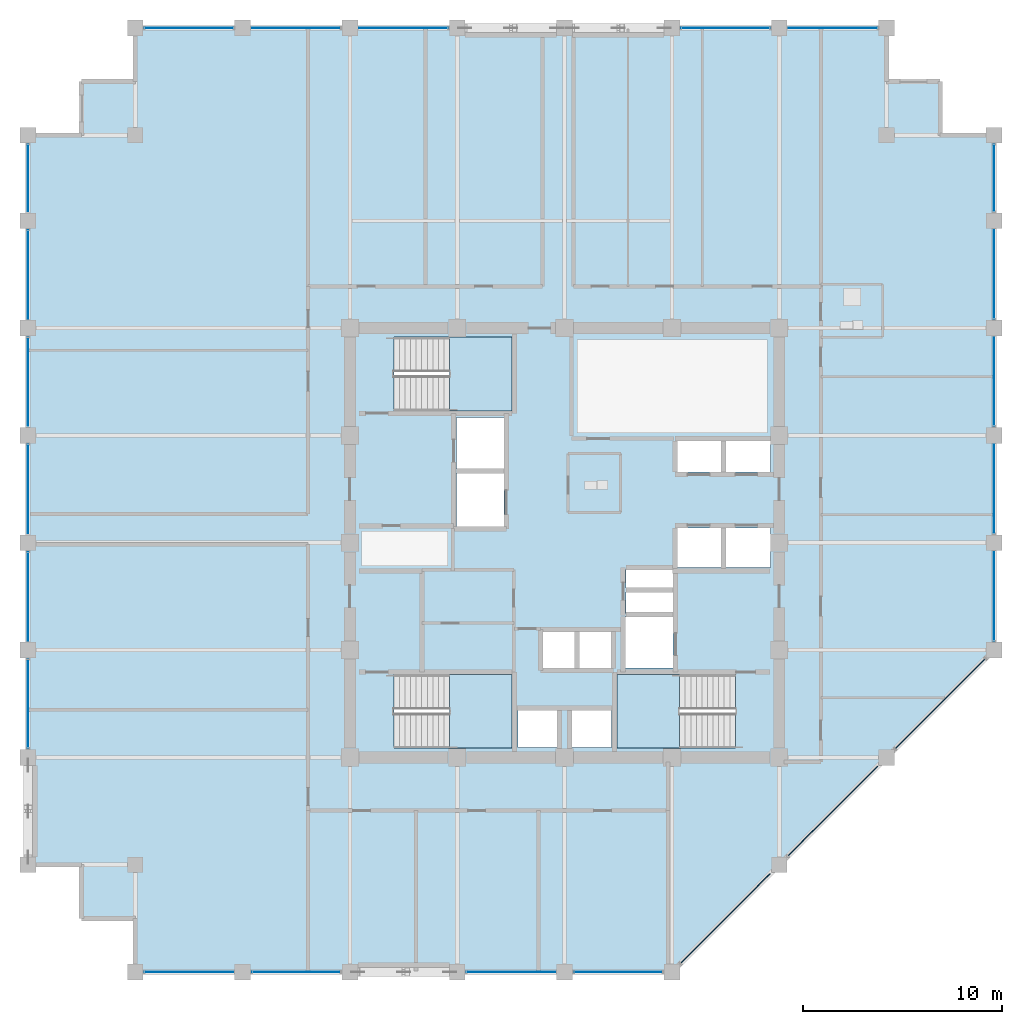
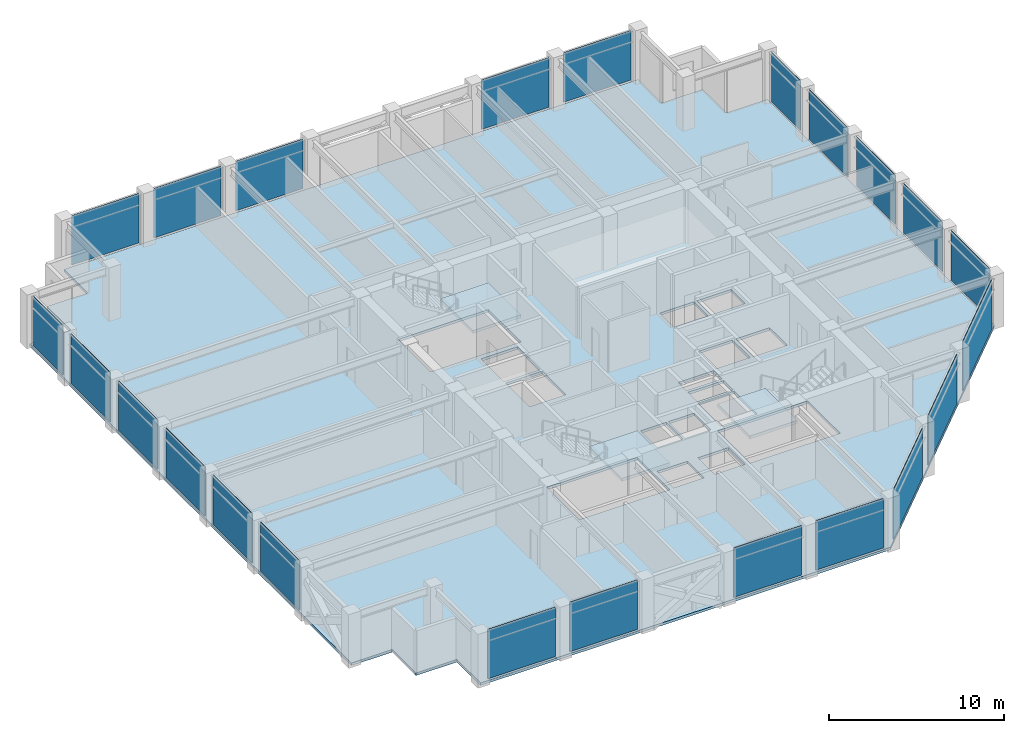
# One storey, part 26 of 32: 23 plates, 4 slabs, 10 elements without a shape of their own.
"""IFC4 building model written with IfcOpenShell, lengths in metres."""

from ifc_helpers import new_model, si_unit, direction, frame, frame_2d, origin, place, context, subcontext, project, spatial, polyline, rectangle, outline, extrude, material, layer, layer_set, type_object, element, aggregate, save


model = new_model("IFC4")

# Units and contexts
model_context = context("Model", 3, precision=1e-05, world=origin(), true_north=direction((0.0, 1.0)))
body_context = subcontext(model_context, "Body", "Model", "MODEL_VIEW")
ifc_project = project(units=[si_unit("LENGTHUNIT", "METRE"), si_unit("AREAUNIT", "SQUARE_METRE"), si_unit("VOLUMEUNIT", "CUBIC_METRE"), si_unit("PLANEANGLEUNIT", "RADIAN"), si_unit("MASSUNIT", "GRAM", prefix="KILO")], contexts=[model_context])

# Site, building, storey
site_placement = place(None, origin())
site = spatial("IfcSite", under=ifc_project, at=site_placement, CompositionType="ELEMENT")
building_placement = place(site_placement, origin())
building = spatial("IfcBuilding", under=site, at=building_placement, Name="Surkhivell Harbour Commons", CompositionType="ELEMENT")
storey_placement = place(building_placement, frame((0.0, 0.0, 216.0)))
storey = spatial("IfcBuildingStorey", under=building, at=storey_placement, Name="L56", CompositionType="ELEMENT", Elevation=216.0)

# Curtain wall, plates
ifc_material_1 = material(Name="Anodised pale-metal aluminium and insulated glazing", Category="aluminium")
ifc_layer_1 = layer(ifc_material_1, 0.18994140625)
ifc_layer_set_1 = layer_set([ifc_layer_1], Name="Anodised pale-metal aluminium and insulated glazing")
curtain_wall_type = type_object("IfcCurtainWallType", Name="CW-SYS-Z3", PredefinedType="NOTDEFINED", material=ifc_layer_set_1)
curtain_wall_1_placement = place(storey_placement, origin())
curtain_wall_1 = element("IfcCurtainWall", 1, at=curtain_wall_1_placement, inside=storey, type_object=curtain_wall_type, Name="L56 Curtain Wall CW-L56-E00S1", PredefinedType="NOTDEFINED")
ifc_material_2 = material(Name="High-pressure typhoon laminated vision glass", Category="glass")
ifc_layer_2 = layer(ifc_material_2, 0.035888671875)
ifc_layer_set_2 = layer_set([ifc_layer_2], Name="High-pressure typhoon laminated vision glass")
plate_type = type_object("IfcPlateType", Name="CWP-GLZ-36", PredefinedType="CURTAIN_PANEL", material=ifc_layer_set_2)
plate_1_placement = place(storey_placement, frame((-21.123046875, -21.60009765625, 0.1298828125), z_axis=(0.0, 0.0, 1.0), x_axis=(1.0, 0.0, 0.0)))
plate_1 = element("IfcPlate", 2, at=plate_1_placement, type_object=plate_type, Name="CW-Z3 panel 1.1", PredefinedType="CURTAIN_PANEL", context=body_context, shape_type="SweptSolid", body=[
    extrude(rectangle(XDim=4.446044921875, YDim=0.035888671875, at=frame_2d((2.22314453125, 0.0))), origin(), (0.0, 0.0, 1.0), 3.440185546875),
])
plate_2_placement = place(storey_placement, frame((-15.722900390625, -21.60009765625, 0.1298828125), z_axis=(0.0, 0.0, 1.0), x_axis=(1.0, 0.0, 0.0)))
plate_2 = element("IfcPlate", 3, at=plate_2_placement, type_object=plate_type, Name="CW-Z3 panel 2.1", PredefinedType="CURTAIN_PANEL", context=body_context, shape_type="SweptSolid", body=[
    extrude(rectangle(XDim=4.44580078125, YDim=0.035888671875, at=frame_2d((2.222900390625, 0.0))), origin(), (0.0, 0.0, 1.0), 3.440185546875),
])
aggregate(curtain_wall_1, [plate_1, plate_2])

curtain_wall_2_placement = place(storey_placement, origin())
curtain_wall_2 = element("IfcCurtainWall", 4, at=curtain_wall_2_placement, inside=storey, type_object=curtain_wall_type, Name="L56 Curtain Wall CW-L56-E00S2", PredefinedType="NOTDEFINED")
plate_3_placement = place(storey_placement, frame((-4.923095703125, -21.60009765625, 0.1298828125), z_axis=(0.0, 0.0, 1.0), x_axis=(1.0, 0.0, 0.0)))
plate_3 = element("IfcPlate", 5, at=plate_3_placement, type_object=plate_type, Name="CW-Z3 panel 1.1", PredefinedType="CURTAIN_PANEL", context=body_context, shape_type="SweptSolid", body=[
    extrude(rectangle(XDim=4.446044921875, YDim=0.035888671875, at=frame_2d((2.22314453125, 0.0))), origin(), (0.0, 0.0, 1.0), 3.440185546875),
])
plate_4_placement = place(storey_placement, frame((0.47705078125, -21.60009765625, 0.1298828125), z_axis=(0.0, 0.0, 1.0), x_axis=(1.0, 0.0, 0.0)))
plate_4 = element("IfcPlate", 6, at=plate_4_placement, type_object=plate_type, Name="CW-Z3 panel 2.1", PredefinedType="CURTAIN_PANEL", context=body_context, shape_type="SweptSolid", body=[
    extrude(rectangle(XDim=4.446044921875, YDim=0.035888671875, at=frame_2d((2.22314453125, 0.0))), origin(), (0.0, 0.0, 1.0), 3.440185546875),
])
aggregate(curtain_wall_2, [plate_3, plate_4])

curtain_wall_3_placement = place(storey_placement, origin())
curtain_wall_3 = element("IfcCurtainWall", 7, at=curtain_wall_3_placement, inside=storey, type_object=curtain_wall_type, Name="L56 Curtain Wall CW-L56-E01", PredefinedType="NOTDEFINED")
plate_5_placement = place(storey_placement, frame((5.854736328125, -21.145263671875, 0.1298828125), z_axis=(0.0, 0.0, 1.0), x_axis=(0.707106781187, 0.707106781187, 0.0)))
plate_5 = element("IfcPlate", 8, at=plate_5_placement, type_object=plate_type, Name="CW-Z3 panel 1.1", PredefinedType="CURTAIN_PANEL", context=body_context, shape_type="SweptSolid", body=[
    extrude(rectangle(XDim=6.3505859375, YDim=0.035888671875, at=frame_2d((3.17529296875, 0.0))), origin(), (0.0, 0.0, 1.0), 3.440185546875),
])
plate_6_placement = place(storey_placement, frame((11.254638671875, -15.745361328125, 0.1298828125), z_axis=(0.0, 0.0, 1.0), x_axis=(0.707106781187, 0.707106781187, 0.0)))
plate_6 = element("IfcPlate", 9, at=plate_6_placement, type_object=plate_type, Name="CW-Z3 panel 2.1", PredefinedType="CURTAIN_PANEL", context=body_context, shape_type="SweptSolid", body=[
    extrude(rectangle(XDim=6.350830078125, YDim=0.035888671875, at=frame_2d((3.17529296875, 0.0))), origin(), (0.0, 0.0, 1.0), 3.440185546875),
])
plate_7_placement = place(storey_placement, frame((16.65478515625, -10.34521484375, 0.1298828125), z_axis=(0.0, 0.0, 1.0), x_axis=(0.707106781187, 0.707106781187, 0.0)))
plate_7 = element("IfcPlate", 10, at=plate_7_placement, type_object=plate_type, Name="CW-Z3 panel 3.1", PredefinedType="CURTAIN_PANEL", context=body_context, shape_type="SweptSolid", body=[
    extrude(rectangle(XDim=6.3505859375, YDim=0.035888671875, at=frame_2d((3.17529296875, 0.0))), origin(), (0.0, 0.0, 1.0), 3.440185546875),
])
aggregate(curtain_wall_3, [plate_5, plate_6, plate_7])

curtain_wall_4_placement = place(storey_placement, origin())
curtain_wall_4 = element("IfcCurtainWall", 11, at=curtain_wall_4_placement, inside=storey, type_object=curtain_wall_type, Name="L56 Curtain Wall CW-L56-E02", PredefinedType="NOTDEFINED")
plate_8_placement = place(storey_placement, frame((21.60009765625, -4.923095703125, 0.1298828125), z_axis=(0.0, 0.0, 1.0), x_axis=(0.0, 1.0, 0.0)))
plate_8 = element("IfcPlate", 12, at=plate_8_placement, type_object=plate_type, Name="CW-Z3 panel 1.1", PredefinedType="CURTAIN_PANEL", context=body_context, shape_type="SweptSolid", body=[
    extrude(rectangle(XDim=4.446044921875, YDim=0.035888671875, at=frame_2d((2.22314453125, 0.0))), origin(), (0.0, 0.0, 1.0), 3.440185546875),
])
plate_9_placement = place(storey_placement, frame((21.60009765625, 0.47705078125, 0.1298828125), z_axis=(0.0, 0.0, 1.0), x_axis=(0.0, 1.0, 0.0)))
plate_9 = element("IfcPlate", 13, at=plate_9_placement, type_object=plate_type, Name="CW-Z3 panel 2.1", PredefinedType="CURTAIN_PANEL", context=body_context, shape_type="SweptSolid", body=[
    extrude(rectangle(XDim=4.446044921875, YDim=0.035888671875, at=frame_2d((2.22314453125, 0.0))), origin(), (0.0, 0.0, 1.0), 3.440185546875),
])
plate_10_placement = place(storey_placement, frame((21.60009765625, 5.876953125, 0.1298828125), z_axis=(0.0, 0.0, 1.0), x_axis=(0.0, 1.0, 0.0)))
plate_10 = element("IfcPlate", 14, at=plate_10_placement, type_object=plate_type, Name="CW-Z3 panel 3.1", PredefinedType="CURTAIN_PANEL", context=body_context, shape_type="SweptSolid", body=[
    extrude(rectangle(XDim=4.446044921875, YDim=0.035888671875, at=frame_2d((2.22314453125, 0.0))), origin(), (0.0, 0.0, 1.0), 3.440185546875),
])
plate_11_placement = place(storey_placement, frame((21.60009765625, 11.277099609375, 0.1298828125), z_axis=(0.0, 0.0, 1.0), x_axis=(0.0, 1.0, 0.0)))
plate_11 = element("IfcPlate", 15, at=plate_11_placement, type_object=plate_type, Name="CW-Z3 panel 4.1", PredefinedType="CURTAIN_PANEL", context=body_context, shape_type="SweptSolid", body=[
    extrude(rectangle(XDim=4.44580078125, YDim=0.035888671875, at=frame_2d((2.222900390625, 0.0))), origin(), (0.0, 0.0, 1.0), 3.440185546875),
])
plate_12_placement = place(storey_placement, frame((21.60009765625, 16.677001953125, 0.1298828125), z_axis=(0.0, 0.0, 1.0), x_axis=(0.0, 1.0, 0.0)))
plate_12 = element("IfcPlate", 16, at=plate_12_placement, type_object=plate_type, Name="CW-Z3 panel 5.1", PredefinedType="CURTAIN_PANEL", context=body_context, shape_type="SweptSolid", body=[
    extrude(rectangle(XDim=3.345947265625, YDim=0.035888671875, at=frame_2d((1.6728515625, 0.0))), origin(), (0.0, 0.0, 1.0), 3.440185546875),
])
aggregate(curtain_wall_4, [plate_8, plate_9, plate_10, plate_11, plate_12])

curtain_wall_5_placement = place(storey_placement, origin())
curtain_wall_5 = element("IfcCurtainWall", 17, at=curtain_wall_5_placement, inside=storey, type_object=curtain_wall_type, Name="L56 Curtain Wall CW-L56-E07S1", PredefinedType="NOTDEFINED")
plate_13_placement = place(storey_placement, frame((15.722900390625, 25.89990234375, 0.1298828125), z_axis=(0.0, 0.0, 1.0), x_axis=(-1.0, 0.0, 0.0)))
plate_13 = element("IfcPlate", 18, at=plate_13_placement, type_object=plate_type, Name="CW-Z3 panel 1.1", PredefinedType="CURTAIN_PANEL", context=body_context, shape_type="SweptSolid", body=[
    extrude(rectangle(XDim=4.44580078125, YDim=0.035888671875, at=frame_2d((2.222900390625, 0.0))), origin(), (0.0, 0.0, 1.0), 3.440185546875),
])
plate_14_placement = place(storey_placement, frame((10.322998046875, 25.89990234375, 0.1298828125), z_axis=(0.0, 0.0, 1.0), x_axis=(-1.0, 0.0, 0.0)))
plate_14 = element("IfcPlate", 19, at=plate_14_placement, type_object=plate_type, Name="CW-Z3 panel 2.1", PredefinedType="CURTAIN_PANEL", context=body_context, shape_type="SweptSolid", body=[
    extrude(rectangle(XDim=4.446044921875, YDim=0.035888671875, at=frame_2d((2.22314453125, 0.0))), origin(), (0.0, 0.0, 1.0), 3.440185546875),
])
aggregate(curtain_wall_5, [plate_13, plate_14])

curtain_wall_6_placement = place(storey_placement, origin())
curtain_wall_6 = element("IfcCurtainWall", 20, at=curtain_wall_6_placement, inside=storey, type_object=curtain_wall_type, Name="L56 Curtain Wall CW-L56-E07S2", PredefinedType="NOTDEFINED")
plate_15_placement = place(storey_placement, frame((-5.876953125, 25.89990234375, 0.1298828125), z_axis=(0.0, 0.0, 1.0), x_axis=(-1.0, 0.0, 0.0)))
plate_15 = element("IfcPlate", 21, at=plate_15_placement, type_object=plate_type, Name="CW-Z3 panel 1.1", PredefinedType="CURTAIN_PANEL", context=body_context, shape_type="SweptSolid", body=[
    extrude(rectangle(XDim=4.446044921875, YDim=0.035888671875, at=frame_2d((2.22314453125, 0.0))), origin(), (0.0, 0.0, 1.0), 3.440185546875),
])
plate_16_placement = place(storey_placement, frame((-11.277099609375, 25.89990234375, 0.1298828125), z_axis=(0.0, 0.0, 1.0), x_axis=(-1.0, 0.0, 0.0)))
plate_16 = element("IfcPlate", 22, at=plate_16_placement, type_object=plate_type, Name="CW-Z3 panel 2.1", PredefinedType="CURTAIN_PANEL", context=body_context, shape_type="SweptSolid", body=[
    extrude(rectangle(XDim=4.44580078125, YDim=0.035888671875, at=frame_2d((2.222900390625, 0.0))), origin(), (0.0, 0.0, 1.0), 3.440185546875),
])
plate_17_placement = place(storey_placement, frame((-16.677001953125, 25.89990234375, 0.1298828125), z_axis=(0.0, 0.0, 1.0), x_axis=(-1.0, 0.0, 0.0)))
plate_17 = element("IfcPlate", 23, at=plate_17_placement, type_object=plate_type, Name="CW-Z3 panel 3.1", PredefinedType="CURTAIN_PANEL", context=body_context, shape_type="SweptSolid", body=[
    extrude(rectangle(XDim=4.446044921875, YDim=0.035888671875, at=frame_2d((2.22314453125, 0.0))), origin(), (0.0, 0.0, 1.0), 3.440185546875),
])
aggregate(curtain_wall_6, [plate_15, plate_16, plate_17])

curtain_wall_7_placement = place(storey_placement, origin())
curtain_wall_7 = element("IfcCurtainWall", 24, at=curtain_wall_7_placement, inside=storey, type_object=curtain_wall_type, Name="L56 Curtain Wall CW-L56-E12S1", PredefinedType="NOTDEFINED")
plate_18_placement = place(storey_placement, frame((-27.0, 20.02294921875, 0.1298828125), z_axis=(0.0, 0.0, 1.0), x_axis=(0.0, -1.0, 0.0)))
plate_18 = element("IfcPlate", 25, at=plate_18_placement, type_object=plate_type, Name="CW-Z3 panel 1.1", PredefinedType="CURTAIN_PANEL", context=body_context, shape_type="SweptSolid", body=[
    extrude(rectangle(XDim=3.345947265625, YDim=0.035888671875, at=frame_2d((1.6728515625, 0.0))), origin(), (0.0, 0.0, 1.0), 3.440185546875),
])
plate_19_placement = place(storey_placement, frame((-27.0, 15.722900390625, 0.1298828125), z_axis=(0.0, 0.0, 1.0), x_axis=(0.0, -1.0, 0.0)))
plate_19 = element("IfcPlate", 26, at=plate_19_placement, type_object=plate_type, Name="CW-Z3 panel 2.1", PredefinedType="CURTAIN_PANEL", context=body_context, shape_type="SweptSolid", body=[
    extrude(rectangle(XDim=4.44580078125, YDim=0.035888671875, at=frame_2d((2.222900390625, 0.0))), origin(), (0.0, 0.0, 1.0), 3.440185546875),
])
plate_20_placement = place(storey_placement, frame((-27.0, 10.322998046875, 0.1298828125), z_axis=(0.0, 0.0, 1.0), x_axis=(0.0, -1.0, 0.0)))
plate_20 = element("IfcPlate", 27, at=plate_20_placement, type_object=plate_type, Name="CW-Z3 panel 3.1", PredefinedType="CURTAIN_PANEL", context=body_context, shape_type="SweptSolid", body=[
    extrude(rectangle(XDim=4.446044921875, YDim=0.035888671875, at=frame_2d((2.22314453125, 0.0))), origin(), (0.0, 0.0, 1.0), 3.440185546875),
])
plate_21_placement = place(storey_placement, frame((-27.0, 4.923095703125, 0.1298828125), z_axis=(0.0, 0.0, 1.0), x_axis=(0.0, -1.0, 0.0)))
plate_21 = element("IfcPlate", 28, at=plate_21_placement, type_object=plate_type, Name="CW-Z3 panel 4.1", PredefinedType="CURTAIN_PANEL", context=body_context, shape_type="SweptSolid", body=[
    extrude(rectangle(XDim=4.446044921875, YDim=0.035888671875, at=frame_2d((2.22314453125, 0.0))), origin(), (0.0, 0.0, 1.0), 3.440185546875),
])
plate_22_placement = place(storey_placement, frame((-27.0, -0.47705078125, 0.1298828125), z_axis=(0.0, 0.0, 1.0), x_axis=(0.0, -1.0, 0.0)))
plate_22 = element("IfcPlate", 29, at=plate_22_placement, type_object=plate_type, Name="CW-Z3 panel 5.1", PredefinedType="CURTAIN_PANEL", context=body_context, shape_type="SweptSolid", body=[
    extrude(rectangle(XDim=4.446044921875, YDim=0.035888671875, at=frame_2d((2.22314453125, 0.0))), origin(), (0.0, 0.0, 1.0), 3.440185546875),
])
plate_23_placement = place(storey_placement, frame((-27.0, -5.876953125, 0.1298828125), z_axis=(0.0, 0.0, 1.0), x_axis=(0.0, -1.0, 0.0)))
plate_23 = element("IfcPlate", 30, at=plate_23_placement, type_object=plate_type, Name="CW-Z3 panel 6.1", PredefinedType="CURTAIN_PANEL", context=body_context, shape_type="SweptSolid", body=[
    extrude(rectangle(XDim=4.446044921875, YDim=0.035888671875, at=frame_2d((2.22314453125, 0.0))), origin(), (0.0, 0.0, 1.0), 3.440185546875),
])
aggregate(curtain_wall_7, [plate_18, plate_19, plate_20, plate_21, plate_22, plate_23])

# Stair, slab
ifc_material_3 = material(Name="Precast concrete C45/55", Category="concrete")
stair_type = type_object("IfcStairType", Name="STR-DL-375", PredefinedType="HALF_TURN_STAIR", material=ifc_material_3)
stair_1_placement = place(storey_placement, origin())
stair_1 = element("IfcStair", 31, at=stair_1_placement, inside=storey, type_object=stair_type, Name="L56 Core Exit Stair ST1", PredefinedType="HALF_TURN_STAIR")
ifc_material_4 = material(Name="Reinforced concrete C45/55", Category="concrete")
ifc_layer_3 = layer(ifc_material_4, 0.199951171875)
ifc_layer_set_3 = layer_set([ifc_layer_3], Name="Reinforced concrete C45/55")
slab_type_1 = type_object("IfcSlabType", Name="SLB-ST-LND200", PredefinedType="LANDING", material=ifc_layer_set_3)
slab_1_placement = place(storey_placement, frame((0.0, 0.0, 1.675048828125)))
slab_1 = element("IfcSlab", 32, at=slab_1_placement, type_object=slab_type_1, Name="ST1 landing 1", PredefinedType="LANDING", context=body_context, shape_type="SweptSolid", body=[
    extrude(outline(polyline([(-5.7900390625, 6.639892578125), (-2.639892578125, 6.639892578125), (-2.639892578125, 10.340087890625), (-5.7900390625, 10.340087890625), (-5.7900390625, 6.639892578125)])), origin(), (0.0, 0.0, 1.0), 0.199951171875),
])
aggregate(stair_1, [slab_1])

stair_2_placement = place(storey_placement, origin())
stair_2 = element("IfcStair", 33, at=stair_2_placement, inside=storey, type_object=stair_type, Name="L56 Core Exit Stair ST2", PredefinedType="HALF_TURN_STAIR")
slab_2_placement = place(storey_placement, frame((0.0, 0.0, 1.675048828125)))
slab_2 = element("IfcSlab", 34, at=slab_2_placement, type_object=slab_type_1, Name="ST2 landing 1", PredefinedType="LANDING", context=body_context, shape_type="SweptSolid", body=[
    extrude(outline(polyline([(5.7900390625, -6.639892578125), (2.639892578125, -6.639892578125), (2.639892578125, -10.340087890625), (5.7900390625, -10.340087890625), (5.7900390625, -6.639892578125)])), origin(), (0.0, 0.0, 1.0), 0.199951171875),
])
aggregate(stair_2, [slab_2])

stair_3_placement = place(storey_placement, origin())
stair_3 = element("IfcStair", 35, at=stair_3_placement, inside=storey, type_object=stair_type, Name="L56 Core Exit Stair ST3", PredefinedType="HALF_TURN_STAIR")
slab_3_placement = place(storey_placement, frame((0.0, 0.0, 1.675048828125)))
slab_3 = element("IfcSlab", 36, at=slab_3_placement, type_object=slab_type_1, Name="ST3 landing 1", PredefinedType="LANDING", context=body_context, shape_type="SweptSolid", body=[
    extrude(outline(polyline([(-5.7900390625, -10.340087890625), (-2.639892578125, -10.340087890625), (-2.639892578125, -6.639892578125), (-5.7900390625, -6.639892578125), (-5.7900390625, -10.340087890625)])), origin(), (0.0, 0.0, 1.0), 0.199951171875),
])
aggregate(stair_3, [slab_3])

# Slab
ifc_material_5 = material(Name="Concrete C45/55", Category="concrete")
ifc_layer_4 = layer(ifc_material_5, 0.179931640625)
ifc_layer_set_4 = layer_set([ifc_layer_4], Name="Concrete C45/55")
slab_type_2 = type_object("IfcSlabType", Name="SLB-TYP-180", PredefinedType="FLOOR", material=ifc_layer_set_4)
slab_4_placement = place(storey_placement, frame((0.0, 0.0, -0.179931640625)))
element("IfcSlab", 37, at=slab_4_placement, inside=storey, type_object=slab_type_2, Name="L56 Structural Floor Slab", PredefinedType="FLOOR", context=body_context, shape_type="SweptSolid", body=[
    extrude(outline(polyline([(-21.60009765625, -21.60009765625), (5.39990234375, -21.60009765625), (21.60009765625, -5.39990234375), (21.60009765625, 20.5), (18.89990234375, 20.5), (18.89990234375, 23.199951171875), (16.199951171875, 23.199951171875), (16.199951171875, 25.89990234375), (-21.60009765625, 25.89990234375), (-21.60009765625, 23.199951171875), (-24.300048828125, 23.199951171875), (-24.300048828125, 20.5), (-27.0, 20.5), (-27.0, -16.199951171875), (-24.300048828125, -16.199951171875), (-24.300048828125, -18.89990234375), (-21.60009765625, -18.89990234375), (-21.60009765625, -21.60009765625)]), holes=[polyline([(-8.590087890625, 6.639892578125), (-2.639892578125, 6.639892578125), (-2.639892578125, 10.340087890625), (-8.590087890625, 10.340087890625), (-8.590087890625, 6.639892578125)]), polyline([(8.590087890625, -6.639892578125), (2.639892578125, -6.639892578125), (2.639892578125, -10.340087890625), (8.590087890625, -10.340087890625), (8.590087890625, -6.639892578125)]), polyline([(-8.590087890625, -10.340087890625), (-2.639892578125, -10.340087890625), (-2.639892578125, -6.639892578125), (-8.590087890625, -6.639892578125), (-8.590087890625, -10.340087890625)]), polyline([(5.64990234375, 3.550048828125), (7.89990234375, 3.550048828125), (7.89990234375, 5.14990234375), (5.64990234375, 5.14990234375), (5.64990234375, 3.550048828125)]), polyline([(8.10009765625, 3.550048828125), (10.35009765625, 3.550048828125), (10.35009765625, 5.14990234375), (8.10009765625, 5.14990234375), (8.10009765625, 3.550048828125)]), polyline([(5.64990234375, -1.25), (7.89990234375, -1.25), (7.89990234375, 0.75), (5.64990234375, 0.75), (5.64990234375, -1.25)]), polyline([(8.10009765625, -1.25), (10.35009765625, -1.25), (10.35009765625, 0.75), (8.10009765625, 0.75), (8.10009765625, -1.25)]), polyline([(-1.14990234375, -6.35009765625), (0.550048828125, -6.35009765625), (0.550048828125, -4.449951171875), (-1.14990234375, -4.449951171875), (-1.14990234375, -6.35009765625)]), polyline([(0.679931640625, -6.35009765625), (2.3798828125, -6.35009765625), (2.3798828125, -4.449951171875), (0.679931640625, -4.449951171875), (0.679931640625, -6.35009765625)]), polyline([(-2.35009765625, -10.300048828125), (-0.35009765625, -10.300048828125), (-0.35009765625, -8.39990234375), (-2.35009765625, -8.39990234375), (-2.35009765625, -10.300048828125)]), polyline([(0.35009765625, -10.300048828125), (2.35009765625, -10.300048828125), (2.35009765625, -8.39990234375), (0.35009765625, -8.39990234375), (0.35009765625, -10.300048828125)]), polyline([(-5.449951171875, 3.699951171875), (-3.050048828125, 3.699951171875), (-3.050048828125, 6.300048828125), (-5.449951171875, 6.300048828125), (-5.449951171875, 3.699951171875)]), polyline([(3.050048828125, -6.300048828125), (5.449951171875, -6.300048828125), (5.449951171875, -3.699951171875), (3.050048828125, -3.699951171875), (3.050048828125, -6.300048828125)]), polyline([(-5.449951171875, 0.800048828125), (-3.050048828125, 0.800048828125), (-3.050048828125, 3.5), (-5.449951171875, 3.5), (-5.449951171875, 0.800048828125)]), polyline([(3.10009765625, -3.550048828125), (5.449951171875, -3.550048828125), (5.449951171875, -2.47998046875), (3.10009765625, -2.47998046875), (3.10009765625, -3.550048828125)]), polyline([(3.10009765625, -2.280029296875), (5.449951171875, -2.280029296875), (5.449951171875, -1.35009765625), (3.10009765625, -1.35009765625), (3.10009765625, -2.280029296875)])]), origin(), (0.0, 0.0, 1.0), 0.179931640625),
])

save(model, "model.ifc")
